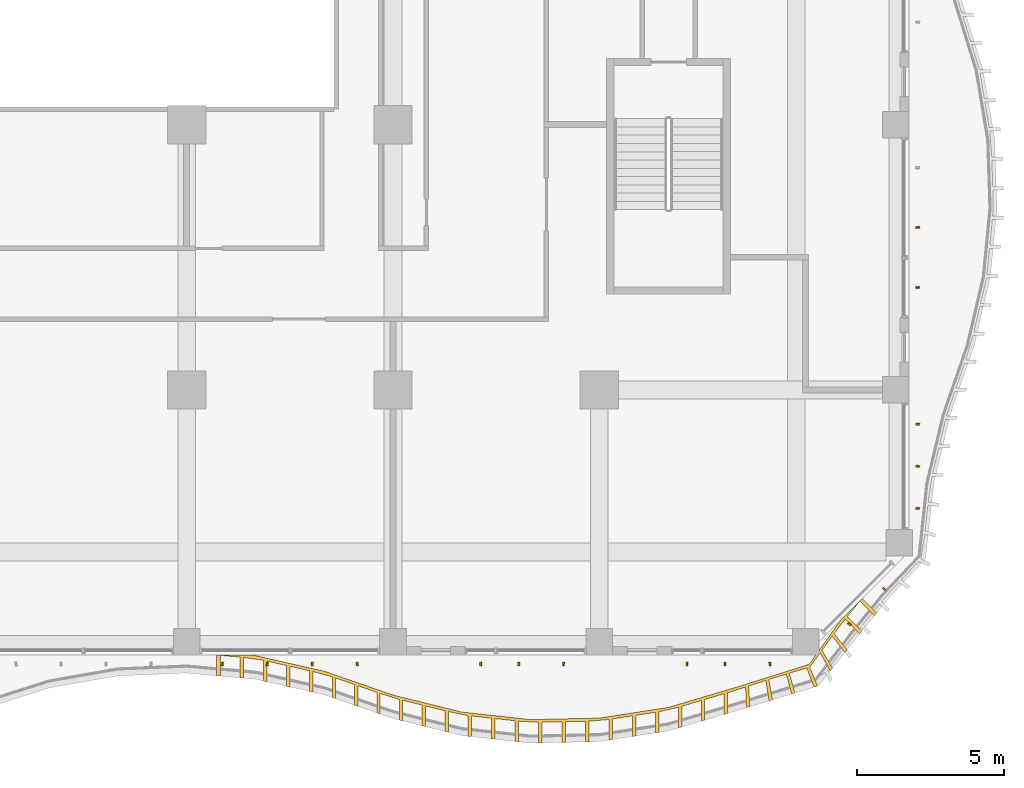
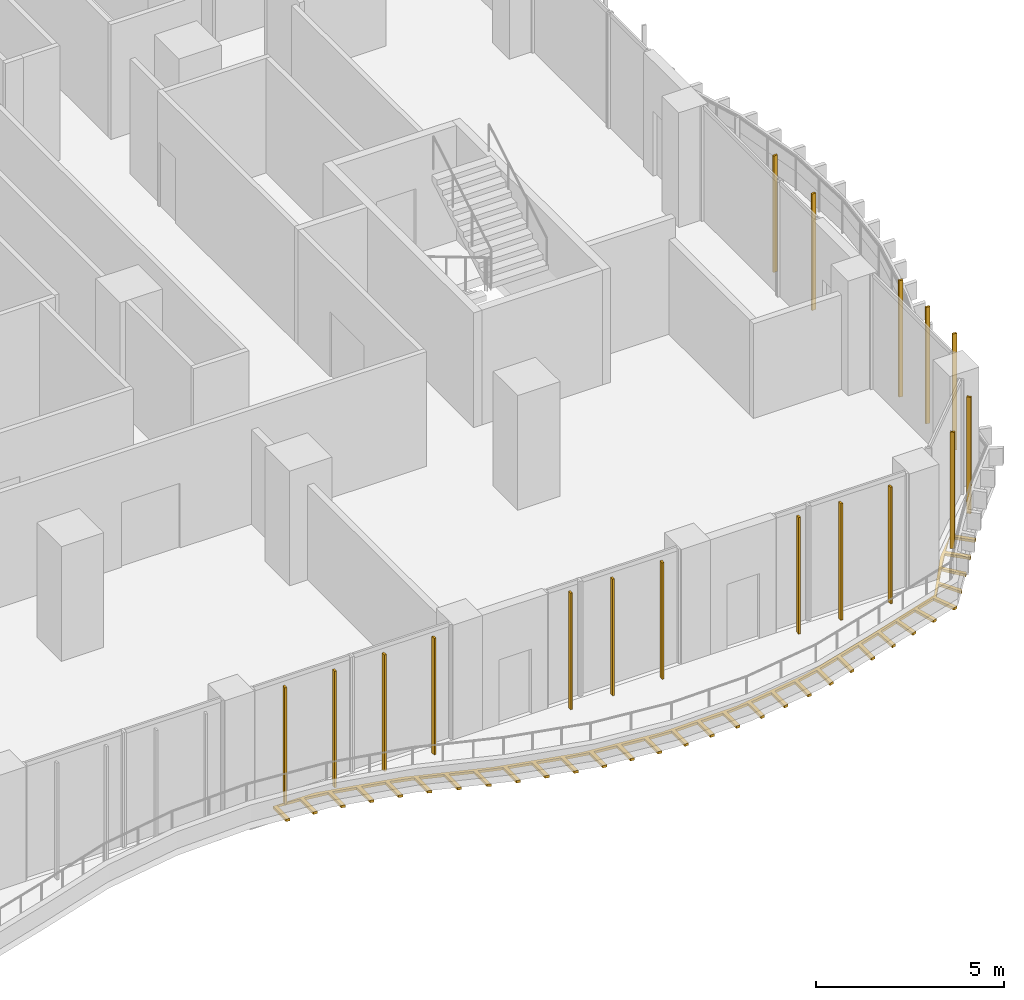
# One storey, part 20 of 25: 18 shading devices.
"""IFC4 building model written with IfcOpenShell, lengths in metres."""

from ifc_helpers import new_model, si_unit, direction, frame, origin, origin_2d, place, context, subcontext, project, spatial, polyline, rectangle, outline, extrude, source, transform, mapped, material, layer, layer_set, material_profile, profile_set, type_object, element, save


model = new_model("IFC4")

# Units and contexts
model_context = context("Model", 3, precision=1e-05, world=origin(), true_north=direction((0.0, 1.0)))
body_context = subcontext(model_context, "Body", "Model", "MODEL_VIEW")
ifc_project = project(units=[si_unit("LENGTHUNIT", "METRE"), si_unit("AREAUNIT", "SQUARE_METRE"), si_unit("VOLUMEUNIT", "CUBIC_METRE"), si_unit("PLANEANGLEUNIT", "RADIAN"), si_unit("MASSUNIT", "GRAM", prefix="KILO")], contexts=[model_context])

# Site, building, storey
site_placement = place(None, origin())
site = spatial("IfcSite", under=ifc_project, at=site_placement, CompositionType="ELEMENT")
building_placement = place(site_placement, origin())
building = spatial("IfcBuilding", under=site, at=building_placement, Name="Kilnfold Tower and Market Hall", CompositionType="ELEMENT")
storey_placement = place(building_placement, frame((0.0, 0.0, 39.0)))
storey = spatial("IfcBuildingStorey", under=building, at=storey_placement, Name="L08", CompositionType="ELEMENT", Elevation=39.0)

# Shading devices
ifc_material_1 = material(Name="Terracotta", Category="masonry")
ifc_material_profile = material_profile(ifc_material_1, rectangle(XDim=0.06005859375, YDim=0.1201171875, at=origin_2d()), Name="BAG 60x120")
ifc_profile_set = profile_set([ifc_material_profile], Name="Terracotta")
shading_device_type_1 = type_object("IfcShadingDeviceType", Name="BAGUETTE", PredefinedType="USERDEFINED", material=ifc_profile_set)
shared_shape_1 = source(origin(), body_context, "Body", "SweptSolid", [
    extrude(rectangle(XDim=0.06005859375, YDim=0.1201171875, at=origin_2d()), origin(), (0.0, 0.0, 1.0), 3.780029296875),
])
for number, where, z_axis, x_axis, name in (
    (1, (4.71240234375, -28.300048828125, 0.0), (0.0, 0.0, 1.0), (0.991873138788, -0.127230800326, 0.0), "Terracotta baguette L08 S"),
    (2, (6.237548828125, -28.300048828125, 0.0), (0.0, 0.0, 1.0), (0.998018061321, -0.062928127866, 0.0), "Terracotta baguette L08 S"),
    (3, (7.762451171875, -28.300048828125, 0.0), (0.0, 0.0, 1.0), (0.999550019816, 0.029995964506, 0.0), "Terracotta baguette L08 S"),
    (4, (9.28759765625, -28.300048828125, 0.0), (0.0, 0.0, 1.0), (0.994015607059, 0.109238147749, 0.0), "Terracotta baguette L08 S"),
    (5, (13.47509765625, -28.300048828125, 0.0), (0.0, 0.0, 1.0), (0.998782317789, 0.049334386295, 0.0), "Terracotta baguette L08 S"),
    (6, (14.762451171875, -28.300048828125, 0.0), (0.0, 0.0, 1.0), (0.999550019816, -0.029995964506, 0.0), "Terracotta baguette L08 S"),
    (7, (16.28759765625, -28.300048828125, 0.0), (0.0, 0.0, 1.0), (0.994015607059, -0.109238147749, 0.0), "Terracotta baguette L08 S"),
    (8, (20.47509765625, -28.300048828125, 0.0), (0.0, 0.0, 1.0), (0.998782317789, -0.049334386295, 0.0), "Terracotta baguette L08 S"),
    (9, (21.762451171875, -28.300048828125, 0.0), (0.0, 0.0, 1.0), (0.999550019816, 0.029995964506, 0.0), "Terracotta baguette L08 S"),
    (10, (23.28759765625, -28.300048828125, 0.0), (0.0, 0.0, 1.0), (0.994015607059, 0.109238147749, 0.0), "Terracotta baguette L08 S"),
    (11, (25.98095703125, -26.943359375, 0.0), (0.0, 0.0, 1.0), (0.626297717754, 0.779583971575, 0.0), "Terracotta baguette L08 SE"),
    (12, (27.16845703125, -25.755859375, 0.0), (0.0, 0.0, 1.0), (0.69344835799, 0.720506332242, 0.0), "Terracotta baguette L08 SE"),
    (13, (28.300048828125, -23.018310546875, 0.0), (0.0, 0.0, 1.0), (0.129262896285, 0.991610358782, 0.0), "Terracotta baguette L08 E"),
    (14, (28.300048828125, -21.5908203125, 0.0), (0.0, 0.0, 1.0), (0.134532716074, 0.990909152398, 0.0), "Terracotta baguette L08 E"),
    (15, (28.300048828125, -20.16357421875, 0.0), (0.0, 0.0, 1.0), (0.086646295864, 0.996239137664, 0.0), "Terracotta baguette L08 E"),
    (16, (28.300048828125, -15.52490234375, 0.0), (0.0, 0.0, 1.0), (-0.137418614513, 0.990513061189, 0.0), "Terracotta baguette L08 E"),
    (17, (28.300048828125, -13.487548828125, 0.0), (0.0, 0.0, 1.0), (-0.101511221935, 0.994834394169, 0.0), "Terracotta baguette L08 E"),
):
    element("IfcShadingDevice", number, at=place(storey_placement, frame(where, z_axis=z_axis, x_axis=x_axis)), inside=storey, type_object=shading_device_type_1, Name=name, ObjectType="BAGUETTE", PredefinedType="USERDEFINED", context=body_context, shape_type="MappedRepresentation", body=[
        mapped(shared_shape_1, transform((0.0, 0.0, 0.0))),
    ])
ifc_material_2 = material(Name="Bronze anodised aluminium", Category="aluminium")
ifc_layer = layer(ifc_material_2, 0.080078125)
ifc_layer_set = layer_set([ifc_layer], Name="Bronze anodised aluminium")
shading_device_type_2 = type_object("IfcShadingDeviceType", Name="BRONZE SLAT SOFFIT 80", PredefinedType="USERDEFINED", material=ifc_layer_set)
shared_shape_2 = source(origin(), body_context, "Body", "SweptSolid", [
    extrude(outline(polyline([(5.833251953125, -28.014404296875), (8.166748046875, -28.541259765625), (10.5, -29.349365234375), (12.833251953125, -29.9267578125), (15.166748046875, -30.18310546875), (17.5, -30.132080078125), (19.833251953125, -29.771240234375), (22.166748046875, -29.08056640625), (24.6259765625, -28.303955078125), (25.666015625, -26.833984375), (26.422607421875, -26.077392578125), (26.90966796875, -26.564697265625), (26.833984375, -26.65771484375), (26.339111328125, -26.162841796875), (25.910400390625, -26.690673828125), (26.405517578125, -27.185791015625), (26.329833984375, -27.27880859375), (25.834716796875, -26.783935546875), (25.4619140625, -27.270263671875), (25.906494140625, -27.81103515625), (25.831787109375, -27.905029296875), (25.39990234375, -27.3544921875), (25.052490234375, -27.8369140625), (25.41015625, -28.4384765625), (25.335693359375, -28.53271484375), (24.99169921875, -27.923095703125), (24.638671875, -28.40380859375), (24.904052734375, -29.051513671875), (24.789306640625, -29.086181640625), (24.5341796875, -28.434326171875), (23.9443359375, -28.61083984375), (24.138427734375, -29.283447265625), (24.0234375, -29.318115234375), (23.840576171875, -28.642578125), (23.253662109375, -28.825439453125), (23.372802734375, -29.51513671875), (23.2578125, -29.550048828125), (23.150146484375, -28.8583984375), (22.56396484375, -29.048583984375), (22.607177734375, -29.7470703125), (22.4921875, -29.781982421875), (22.46044921875, -29.08251953125), (21.8408203125, -29.277099609375), (21.8408203125, -29.97705078125), (21.7255859375, -30.010986328125), (21.7255859375, -29.31103515625), (21.07373046875, -29.504150390625), (21.07373046875, -30.2041015625), (20.95849609375, -30.238037109375), (20.95849609375, -29.5380859375), (20.306640625, -29.731201171875), (20.306640625, -30.43115234375), (20.19140625, -30.465087890625), (20.19140625, -29.76513671875), (19.530517578125, -29.918212890625), (19.530517578125, -30.6181640625), (19.411865234375, -30.636474609375), (19.411865234375, -29.9365234375), (18.739990234375, -30.040283203125), (18.739990234375, -30.740478515625), (18.621337890625, -30.7587890625), (18.621337890625, -30.05859375), (17.94921875, -30.16259765625), (17.94921875, -30.862548828125), (17.830810546875, -30.881103515625), (17.830810546875, -30.180908203125), (17.15478515625, -30.239501953125), (17.15478515625, -30.939697265625), (17.034912109375, -30.942138671875), (17.034912109375, -30.2421875), (16.35498046875, -30.257080078125), (16.35498046875, -30.95703125), (16.32861328125, -30.957763671875), (16.23486328125, -30.959716796875), (16.23486328125, -30.259765625), (15.55517578125, -30.2744140625), (15.55517578125, -30.974609375), (15.43505859375, -30.97705078125), (15.43505859375, -30.277099609375), (14.7578125, -30.238037109375), (14.7578125, -30.93798828125), (14.638427734375, -30.925048828125), (14.638427734375, -30.22509765625), (13.96240234375, -30.15087890625), (13.96240234375, -30.850830078125), (13.84326171875, -30.837646484375), (13.84326171875, -30.1376953125), (13.167236328125, -30.0634765625), (13.167236328125, -30.763427734375), (13.0478515625, -30.75048828125), (13.0478515625, -30.05029296875), (12.3828125, -29.915283203125), (12.3828125, -30.615234375), (12.266357421875, -30.58642578125), (12.266357421875, -29.886474609375), (11.606201171875, -29.72314453125), (11.606201171875, -30.423095703125), (11.48974609375, -30.394287109375), (11.48974609375, -29.6943359375), (10.82958984375, -29.531005859375), (10.82958984375, -30.23095703125), (10.713134765625, -30.2021484375), (10.713134765625, -29.502197265625), (10.06494140625, -29.298583984375), (10.06494140625, -29.998779296875), (9.95166015625, -29.95947265625), (9.95166015625, -29.259521484375), (9.30908203125, -29.036865234375), (9.30908203125, -29.73681640625), (9.195556640625, -29.697509765625), (9.195556640625, -28.99755859375), (8.552978515625, -28.775146484375), (8.552978515625, -29.47509765625), (8.439697265625, -29.435791015625), (8.439697265625, -28.73583984375), (7.78515625, -28.55517578125), (7.78515625, -29.255126953125), (7.668212890625, -29.228759765625), (7.668212890625, -28.52880859375), (7.0048828125, -28.37890625), (7.0048828125, -29.078857421875), (6.8876953125, -29.052490234375), (6.8876953125, -28.3525390625), (6.224609375, -28.20263671875), (6.224609375, -28.902587890625), (6.107421875, -28.876220703125), (6.107421875, -28.17626953125), (5.435791015625, -28.07861328125), (5.435791015625, -28.77880859375), (5.31640625, -28.767822265625), (5.31640625, -28.06787109375), (4.63916015625, -28.007080078125), (4.63916015625, -28.707275390625), (4.51953125, -28.696533203125), (4.51953125, -28.0), (5.673828125, -28.0), (5.833251953125, -28.014404296875)])), origin(), (0.0, 0.0, 1.0), 0.080078125),
])
shading_device_placement = place(storey_placement, frame((0.0, 0.0, -0.300048828125)))
element("IfcShadingDevice", 18, at=shading_device_placement, inside=storey, type_object=shading_device_type_2, Name="Balcony soffit slats L08", ObjectType="SLAT", PredefinedType="USERDEFINED", context=body_context, shape_type="MappedRepresentation", body=[
    mapped(shared_shape_2, transform((0.0, 0.0, 0.0))),
])

save(model, "model.ifc")
